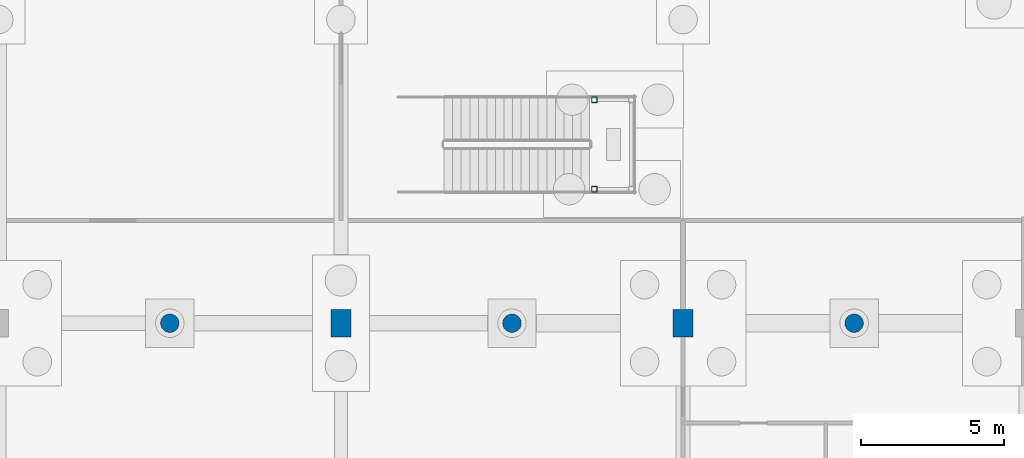
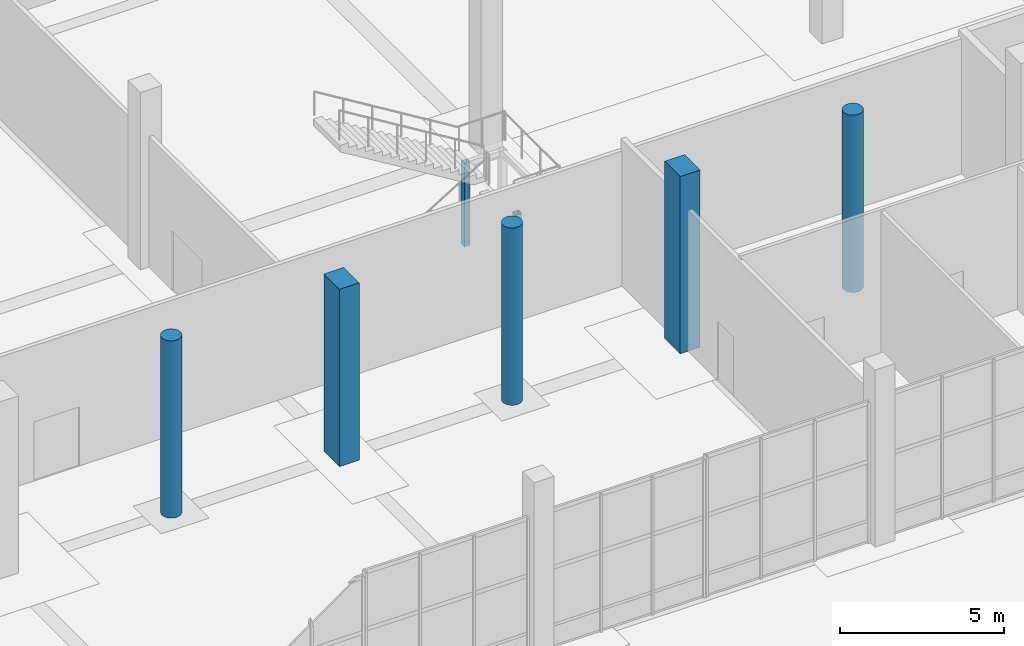
# One storey, part 37 of 117: 7 columns.
"""IFC4 building model written with IfcOpenShell, lengths in metres."""

from ifc_helpers import new_model, si_unit, direction, frame, origin, origin_2d, place, context, subcontext, project, spatial, rectangle, hollow_rectangle, circle, extrude, material, material_profile, profile_set, type_object, element, save


model = new_model("IFC4")

# Units and contexts
model_context = context("Model", 3, precision=1e-05, world=origin(), true_north=direction((0.0, 1.0)))
body_context = subcontext(model_context, "Body", "Model", "MODEL_VIEW")
ifc_project = project(units=[si_unit("LENGTHUNIT", "METRE"), si_unit("AREAUNIT", "SQUARE_METRE"), si_unit("VOLUMEUNIT", "CUBIC_METRE"), si_unit("PLANEANGLEUNIT", "RADIAN"), si_unit("MASSUNIT", "GRAM", prefix="KILO")], contexts=[model_context])

# Site, building, storey
site_placement = place(None, origin())
site = spatial("IfcSite", under=ifc_project, at=site_placement, CompositionType="ELEMENT")
building_placement = place(site_placement, origin())
building = spatial("IfcBuilding", under=site, at=building_placement, Name="Kamomehara Wholesale Market", CompositionType="ELEMENT")
storey_placement = place(building_placement, origin())
storey = spatial("IfcBuildingStorey", under=building, at=storey_placement, Name="L00", CompositionType="ELEMENT", Elevation=0.0)

# Columns
ifc_material_1 = material(Name="Precast concrete Fc45 (C40/50)", Category="concrete")
ifc_material_profile_1 = material_profile(ifc_material_1, circle(Radius=0.324951171875, at=origin_2d()), Name="PC-ARC-D650")
ifc_profile_set_1 = profile_set([ifc_material_profile_1], Name="Precast concrete Fc45 (C40/50)")
column_type_1 = type_object("IfcColumnType", Name="COL-ARC650-EXT", PredefinedType="COLUMN", material=ifc_profile_set_1)
for number, where, z_axis, x_axis, name in (
    (1, (126.0, 108.0, 0.0), (0.0, 0.0, 1.0), (1.0, 0.0, 0.0), "Column CA-01E L00"),
    (2, (138.0, 108.0, 0.0), (0.0, 0.0, 1.0), (1.0, 0.0, 0.0), "Column CA-01E L00"),
    (3, (150.0, 108.0, 0.0), (0.0, 0.0, 1.0), (1.0, 0.0, 0.0), "Column CA-01E L00"),
):
    element("IfcColumn", number, at=place(storey_placement, frame(where, z_axis=z_axis, x_axis=x_axis)), inside=storey, type_object=column_type_1, Name=name, PredefinedType="COLUMN", context=body_context, shape_type="SweptSolid", body=[
        extrude(circle(Radius=0.324951171875, at=origin_2d()), origin(), (0.0, 0.0, 1.0), 6.60009765625),
    ])
ifc_material_2 = material(Name="Precast concrete Fc45 (C40/50)", Category="concrete")
ifc_material_profile_2 = material_profile(ifc_material_2, rectangle(XDim=0.699951171875, YDim=0.949951171875, at=origin_2d()), Name="PC-COL-700x950")
ifc_profile_set_2 = profile_set([ifc_material_profile_2], Name="Precast concrete Fc45 (C40/50)")
column_type_2 = type_object("IfcColumnType", Name="COL-PCR950-EXT", PredefinedType="COLUMN", material=ifc_profile_set_2)
for number, where, z_axis, x_axis, name in (
    (4, (132.0, 108.0, 0.0), (0.0, 0.0, 1.0), (1.0, 0.0, 0.0), "Column C-11E L00"),
    (5, (144.0, 108.0, 0.0), (0.0, 0.0, 1.0), (1.0, 0.0, 0.0), "Column C-11E L00"),
):
    element("IfcColumn", number, at=place(storey_placement, frame(where, z_axis=z_axis, x_axis=x_axis)), inside=storey, type_object=column_type_2, Name=name, PredefinedType="COLUMN", context=body_context, shape_type="SweptSolid", body=[
        extrude(rectangle(XDim=0.699951171875, YDim=0.949951171875, at=origin_2d()), origin(), (0.0, 0.0, 1.0), 6.60009765625),
    ])
ifc_material_3 = material(Name="Steel SN490B", Category="steel")
ifc_material_profile_3 = material_profile(ifc_material_3, hollow_rectangle(XDim=0.199951171875, YDim=0.199951171875, WallThickness=0.009033203125, at=origin_2d()), Name="RHS-200x200x9")
ifc_profile_set_3 = profile_set([ifc_material_profile_3], Name="Steel SN490B")
column_type_3 = type_object("IfcColumnType", Name="COL-ST-RHS200", PredefinedType="COLUMN", material=ifc_profile_set_3)
for number, where, z_axis, x_axis, name in (
    (6, (140.889892578125, 112.699951171875, 0.0), (0.0, 0.0, 1.0), (1.0, 0.0, 0.0), "Column CS-12 L00"),
    (7, (140.889892578125, 115.840087890625, 0.0), (0.0, 0.0, 1.0), (1.0, 0.0, 0.0), "Column CS-12 L00"),
):
    element("IfcColumn", number, at=place(storey_placement, frame(where, z_axis=z_axis, x_axis=x_axis)), inside=storey, type_object=column_type_3, Name=name, PredefinedType="COLUMN", context=body_context, shape_type="SweptSolid", body=[
        extrude(hollow_rectangle(XDim=0.199951171875, YDim=0.199951171875, WallThickness=0.009033203125, at=origin_2d()), origin(), (0.0, 0.0, 1.0), 3.10009765625),
    ])

save(model, "model.ifc")
